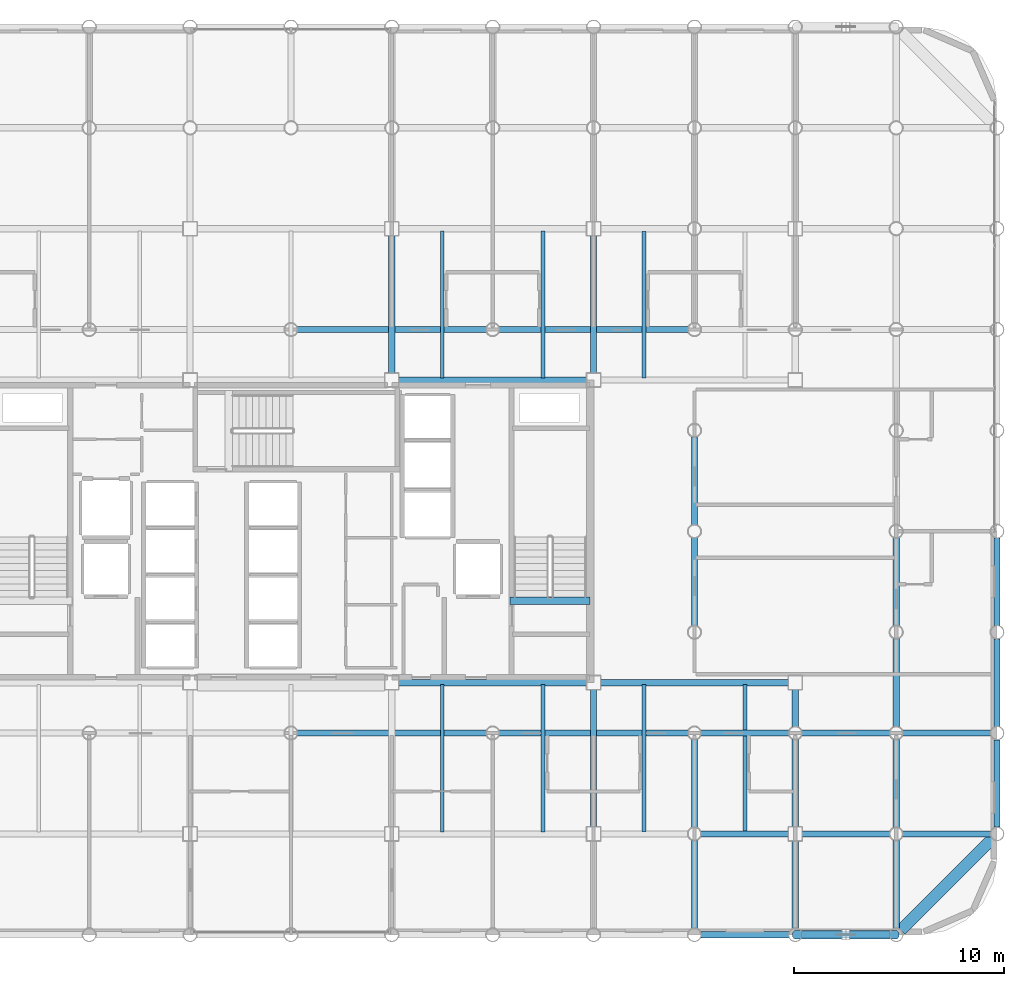
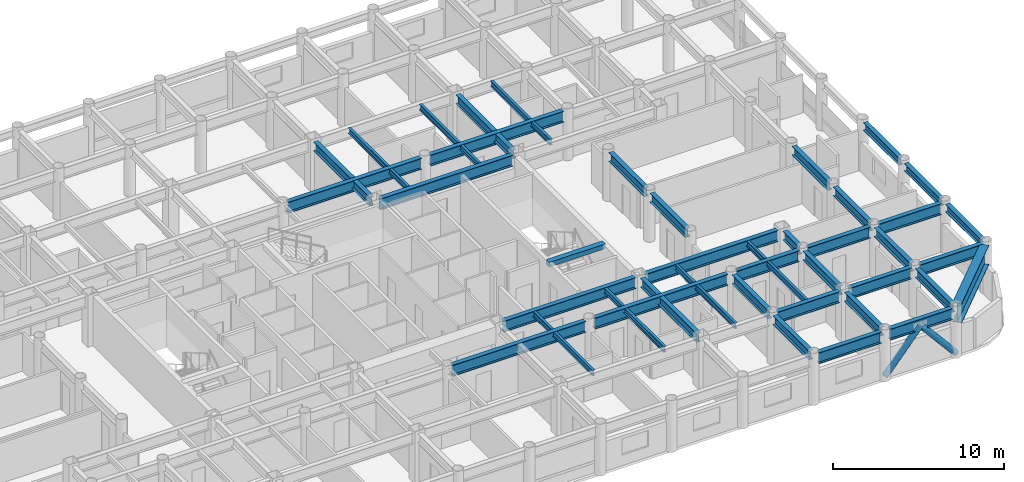
# One storey, part 7 of 22: 41 beams, 2 members.
"""IFC4 building model written with IfcOpenShell, lengths in metres."""

from ifc_helpers import new_model, si_unit, direction, frame, origin, origin_2d, place, context, subcontext, project, spatial, rectangle, hollow_circle, i_section, extrude, material, material_profile, profile_set, type_object, element, save


model = new_model("IFC4")

# Units and contexts
model_context = context("Model", 3, precision=1e-05, world=origin(), true_north=direction((0.0, 1.0)))
body_context = subcontext(model_context, "Body", "Model", "MODEL_VIEW")
ifc_project = project(units=[si_unit("LENGTHUNIT", "METRE"), si_unit("AREAUNIT", "SQUARE_METRE"), si_unit("VOLUMEUNIT", "CUBIC_METRE"), si_unit("PLANEANGLEUNIT", "RADIAN"), si_unit("MASSUNIT", "GRAM", prefix="KILO")], contexts=[model_context])

# Site, building, storey
site_placement = place(None, origin())
site = spatial("IfcSite", under=ifc_project, at=site_placement, CompositionType="ELEMENT")
building_placement = place(site_placement, origin())
building = spatial("IfcBuilding", under=site, at=building_placement, Name="Kallvorn Hotel Tower", CompositionType="ELEMENT")
storey_placement = place(building_placement, frame((0.0, 0.0, 117.39990234375)))
storey = spatial("IfcBuildingStorey", under=building, at=storey_placement, Name="L28", CompositionType="ELEMENT", Elevation=117.39990234375)

# Beams
ifc_material_1 = material(Name="Structural steel S355JR", Category="steel")
ifc_material_profile_1 = material_profile(ifc_material_1, i_section(OverallWidth=0.300048828125, OverallDepth=0.550048828125, WebThickness=0.014892578125, FlangeThickness=0.029052734375, at=origin_2d()), Name="HE 550 B")
ifc_profile_set_1 = profile_set([ifc_material_profile_1], Name="Structural steel S355JR")
beam_type_1 = type_object("IfcBeamType", Name="BM_HE550B", PredefinedType="SPANDREL", material=ifc_profile_set_1)
beam_1_placement = place(storey_placement, frame((33.60009765625, -14.080078125, 3.2451171875), z_axis=(0.0, 1.0, 0.0), x_axis=(-1.0, 0.0, 0.0)))
element("IfcBeam", 1, at=beam_1_placement, inside=storey, type_object=beam_type_1, Name="L29 Perimeter Spandrel 182", PredefinedType="SPANDREL", context=body_context, shape_type="SweptSolid", body=[
    extrude(i_section(OverallWidth=0.300048828125, OverallDepth=0.550048828125, WebThickness=0.014892578125, FlangeThickness=0.029052734375, at=origin_2d()), origin(), (0.0, 0.0, 1.0), 4.16015625),
])
for number, where, z_axis, x_axis, name in (
    (2, (33.60009765625, -9.280029296875, 3.2451171875), (0.0, 1.0, 0.0), (-1.0, 0.0, 0.0), "L29 Perimeter Spandrel 183"),
    (3, (33.60009765625, -4.47998046875, 3.2451171875), (0.0, 1.0, 0.0), (-1.0, 0.0, 0.0), "L29 Perimeter Spandrel 184"),
):
    element("IfcBeam", number, at=place(storey_placement, frame(where, z_axis=z_axis, x_axis=x_axis)), inside=storey, type_object=beam_type_1, Name=name, PredefinedType="SPANDREL", context=body_context, shape_type="SweptSolid", body=[
        extrude(i_section(OverallWidth=0.300048828125, OverallDepth=0.550048828125, WebThickness=0.014892578125, FlangeThickness=0.029052734375, at=origin_2d()), origin(), (0.0, 0.0, 1.0), 4.159912109375),
    ])
ifc_material_2 = material(Name="Structural steel S355JR", Category="steel")
ifc_material_profile_2 = material_profile(ifc_material_2, i_section(OverallWidth=0.300048828125, OverallDepth=0.64990234375, WebThickness=0.01611328125, FlangeThickness=0.031005859375, at=origin_2d()), Name="HE 650 B")
ifc_profile_set_2 = profile_set([ifc_material_profile_2], Name="Structural steel S355JR")
beam_type_2 = type_object("IfcBeamType", Name="BM_HE650B", PredefinedType="BEAM", material=ifc_profile_set_2)
for number, where, z_axis, x_axis, name in (
    (4, (4.800048828125, 7.52490234375, 3.195068359375), (0.0, 1.0, 0.0), (-1.0, 0.0, 0.0), "L29 Primary Y-Girder 115"),
    (5, (14.39990234375, -14.074951171875, 3.195068359375), (0.0, 1.0, 0.0), (-1.0, 0.0, 0.0), "L29 Primary Y-Girder 122"),
    (6, (14.39990234375, 7.52490234375, 3.195068359375), (0.0, 1.0, 0.0), (-1.0, 0.0, 0.0), "L29 Primary Y-Girder 123"),
):
    element("IfcBeam", number, at=place(storey_placement, frame(where, z_axis=z_axis, x_axis=x_axis)), inside=storey, type_object=beam_type_2, Name=name, PredefinedType="BEAM", context=body_context, shape_type="SweptSolid", body=[
        extrude(i_section(OverallWidth=0.300048828125, OverallDepth=0.64990234375, WebThickness=0.01611328125, FlangeThickness=0.031005859375, at=origin_2d()), origin(), (0.0, 0.0, 1.0), 6.550048828125),
    ])
for number, where, z_axis, x_axis, name in (
    (7, (19.199951171875, -18.89501953125, 3.195068359375), (0.0, 1.0, 0.0), (-1.0, 0.0, 0.0), "L29 Primary Y-Girder 126"),
    (8, (19.199951171875, -14.094970703125, 3.195068359375), (0.0, 1.0, 0.0), (-1.0, 0.0, 0.0), "L29 Primary Y-Girder 127"),
):
    element("IfcBeam", number, at=place(storey_placement, frame(where, z_axis=z_axis, x_axis=x_axis)), inside=storey, type_object=beam_type_2, Name=name, PredefinedType="BEAM", context=body_context, shape_type="SweptSolid", body=[
        extrude(i_section(OverallWidth=0.300048828125, OverallDepth=0.64990234375, WebThickness=0.01611328125, FlangeThickness=0.031005859375, at=origin_2d()), origin(), (0.0, 0.0, 1.0), 4.18994140625),
    ])
for number, where, z_axis, x_axis, name in (
    (9, (19.199951171875, -4.4951171875, 3.195068359375), (0.0, 1.0, 0.0), (-1.0, 0.0, 0.0), "L29 Primary Y-Girder 129"),
    (10, (19.199951171875, 0.304931640625, 3.195068359375), (0.0, 1.0, 0.0), (-1.0, 0.0, 0.0), "L29 Primary Y-Girder 130"),
):
    element("IfcBeam", number, at=place(storey_placement, frame(where, z_axis=z_axis, x_axis=x_axis)), inside=storey, type_object=beam_type_2, Name=name, PredefinedType="BEAM", context=body_context, shape_type="SweptSolid", body=[
        extrude(i_section(OverallWidth=0.300048828125, OverallDepth=0.64990234375, WebThickness=0.01611328125, FlangeThickness=0.031005859375, at=origin_2d()), origin(), (0.0, 0.0, 1.0), 4.190185546875),
    ])
for number, where, z_axis, x_axis, name in (
    (11, (24.0, -18.89501953125, 3.195068359375), (0.0, 1.0, 0.0), (-1.0, 0.0, 0.0), "L29 Primary Y-Girder 135"),
    (12, (24.0, -14.074951171875, 3.195068359375), (0.0, 1.0, 0.0), (-1.0, 0.0, 0.0), "L29 Primary Y-Girder 136"),
):
    element("IfcBeam", number, at=place(storey_placement, frame(where, z_axis=z_axis, x_axis=x_axis)), inside=storey, type_object=beam_type_2, Name=name, PredefinedType="BEAM", context=body_context, shape_type="SweptSolid", body=[
        extrude(i_section(OverallWidth=0.300048828125, OverallDepth=0.64990234375, WebThickness=0.01611328125, FlangeThickness=0.031005859375, at=origin_2d()), origin(), (0.0, 0.0, 1.0), 4.169921875),
    ])
beam_2_placement = place(storey_placement, frame((24.0, -9.294921875, 3.195068359375), z_axis=(0.0, 1.0, 0.0), x_axis=(-1.0, 0.0, 0.0)))
element("IfcBeam", 13, at=beam_2_placement, inside=storey, type_object=beam_type_2, Name="L29 Primary Y-Girder 137", PredefinedType="BEAM", context=body_context, shape_type="SweptSolid", body=[
    extrude(i_section(OverallWidth=0.300048828125, OverallDepth=0.64990234375, WebThickness=0.01611328125, FlangeThickness=0.031005859375, at=origin_2d()), origin(), (0.0, 0.0, 1.0), 1.77001953125),
])
for number, where, z_axis, x_axis, name in (
    (14, (28.800048828125, -18.89501953125, 3.195068359375), (0.0, 1.0, 0.0), (-1.0, 0.0, 0.0), "L29 Primary Y-Girder 142"),
    (15, (28.800048828125, -14.094970703125, 3.195068359375), (0.0, 1.0, 0.0), (-1.0, 0.0, 0.0), "L29 Primary Y-Girder 143"),
    (16, (28.800048828125, -9.294921875, 3.195068359375), (0.0, 1.0, 0.0), (-1.0, 0.0, 0.0), "L29 Primary Y-Girder 144"),
):
    element("IfcBeam", number, at=place(storey_placement, frame(where, z_axis=z_axis, x_axis=x_axis)), inside=storey, type_object=beam_type_2, Name=name, PredefinedType="BEAM", context=body_context, shape_type="SweptSolid", body=[
        extrude(i_section(OverallWidth=0.300048828125, OverallDepth=0.64990234375, WebThickness=0.01611328125, FlangeThickness=0.031005859375, at=origin_2d()), origin(), (0.0, 0.0, 1.0), 4.18994140625),
    ])
beam_3_placement = place(storey_placement, frame((28.800048828125, -4.4951171875, 3.195068359375), z_axis=(0.0, 1.0, 0.0), x_axis=(-1.0, 0.0, 0.0)))
element("IfcBeam", 17, at=beam_3_placement, inside=storey, type_object=beam_type_2, Name="L29 Primary Y-Girder 145", PredefinedType="BEAM", context=body_context, shape_type="SweptSolid", body=[
    extrude(i_section(OverallWidth=0.300048828125, OverallDepth=0.64990234375, WebThickness=0.01611328125, FlangeThickness=0.031005859375, at=origin_2d()), origin(), (0.0, 0.0, 1.0), 4.190185546875),
])
ifc_material_3 = material(Name="Structural steel S355JR", Category="steel")
ifc_material_profile_3 = material_profile(ifc_material_3, i_section(OverallWidth=0.300048828125, OverallDepth=0.800048828125, WebThickness=0.017578125, FlangeThickness=0.032958984375, at=origin_2d()), Name="HE 800 B")
ifc_profile_set_3 = profile_set([ifc_material_profile_3], Name="Structural steel S355JR")
beam_type_3 = type_object("IfcBeamType", Name="BM_HE800B", PredefinedType="BEAM", material=ifc_profile_set_3)
for number, where, z_axis, x_axis, name in (
    (18, (19.5048828125, -19.199951171875, 3.1201171875), (1.0, 0.0, 0.0), (0.0, 1.0, 0.0), "L29 Primary X-Girder 11"),
    (19, (24.304931640625, -19.199951171875, 3.1201171875), (1.0, 0.0, 0.0), (0.0, 1.0, 0.0), "L29 Primary X-Girder 12"),
):
    element("IfcBeam", number, at=place(storey_placement, frame(where, z_axis=z_axis, x_axis=x_axis)), inside=storey, type_object=beam_type_3, Name=name, PredefinedType="BEAM", context=body_context, shape_type="SweptSolid", body=[
        extrude(i_section(OverallWidth=0.300048828125, OverallDepth=0.800048828125, WebThickness=0.017578125, FlangeThickness=0.032958984375, at=origin_2d()), origin(), (0.0, 0.0, 1.0), 4.190185546875),
    ])
for number, where, z_axis, x_axis, name in (
    (20, (19.5048828125, -14.39990234375, 3.1201171875), (1.0, 0.0, 0.0), (0.0, 1.0, 0.0), "L29 Primary X-Girder 20"),
    (21, (24.324951171875, -14.39990234375, 3.1201171875), (1.0, 0.0, 0.0), (0.0, 1.0, 0.0), "L29 Primary X-Girder 21"),
):
    element("IfcBeam", number, at=place(storey_placement, frame(where, z_axis=z_axis, x_axis=x_axis)), inside=storey, type_object=beam_type_3, Name=name, PredefinedType="BEAM", context=body_context, shape_type="SweptSolid", body=[
        extrude(i_section(OverallWidth=0.300048828125, OverallDepth=0.800048828125, WebThickness=0.017578125, FlangeThickness=0.032958984375, at=origin_2d()), origin(), (0.0, 0.0, 1.0), 4.170166015625),
    ])
beam_4_placement = place(storey_placement, frame((29.10498046875, -14.39990234375, 3.1201171875), z_axis=(1.0, 0.0, 0.0), x_axis=(0.0, 1.0, 0.0)))
element("IfcBeam", 22, at=beam_4_placement, inside=storey, type_object=beam_type_3, Name="L29 Primary X-Girder 22", PredefinedType="BEAM", context=body_context, shape_type="SweptSolid", body=[
    extrude(i_section(OverallWidth=0.300048828125, OverallDepth=0.800048828125, WebThickness=0.017578125, FlangeThickness=0.032958984375, at=origin_2d()), origin(), (0.0, 0.0, 1.0), 4.18994140625),
])
for number, where, z_axis, x_axis, name in (
    (23, (0.304931640625, -9.60009765625, 3.1201171875), (1.0, 0.0, 0.0), (0.0, 1.0, 0.0), "L29 Primary X-Girder 27"),
    (24, (9.905029296875, -9.60009765625, 3.1201171875), (1.0, 0.0, 0.0), (0.0, 1.0, 0.0), "L29 Primary X-Girder 28"),
):
    element("IfcBeam", number, at=place(storey_placement, frame(where, z_axis=z_axis, x_axis=x_axis)), inside=storey, type_object=beam_type_3, Name=name, PredefinedType="BEAM", context=body_context, shape_type="SweptSolid", body=[
        extrude(i_section(OverallWidth=0.300048828125, OverallDepth=0.800048828125, WebThickness=0.017578125, FlangeThickness=0.032958984375, at=origin_2d()), origin(), (0.0, 0.0, 1.0), 8.989990234375),
    ])
for number, where, z_axis, x_axis, name in (
    (25, (19.5048828125, -9.60009765625, 3.1201171875), (1.0, 0.0, 0.0), (0.0, 1.0, 0.0), "L29 Primary X-Girder 29"),
    (26, (24.304931640625, -9.60009765625, 3.1201171875), (1.0, 0.0, 0.0), (0.0, 1.0, 0.0), "L29 Primary X-Girder 30"),
):
    element("IfcBeam", number, at=place(storey_placement, frame(where, z_axis=z_axis, x_axis=x_axis)), inside=storey, type_object=beam_type_3, Name=name, PredefinedType="BEAM", context=body_context, shape_type="SweptSolid", body=[
        extrude(i_section(OverallWidth=0.300048828125, OverallDepth=0.800048828125, WebThickness=0.017578125, FlangeThickness=0.032958984375, at=origin_2d()), origin(), (0.0, 0.0, 1.0), 4.190185546875),
    ])
beam_5_placement = place(storey_placement, frame((29.10498046875, -9.60009765625, 3.1201171875), z_axis=(1.0, 0.0, 0.0), x_axis=(0.0, 1.0, 0.0)))
element("IfcBeam", 27, at=beam_5_placement, inside=storey, type_object=beam_type_3, Name="L29 Primary X-Girder 31", PredefinedType="BEAM", context=body_context, shape_type="SweptSolid", body=[
    extrude(i_section(OverallWidth=0.300048828125, OverallDepth=0.800048828125, WebThickness=0.017578125, FlangeThickness=0.032958984375, at=origin_2d()), origin(), (0.0, 0.0, 1.0), 4.18994140625),
])
for number, where, z_axis, x_axis, name in (
    (28, (5.125, -7.199951171875, 3.1201171875), (1.0, 0.0, 0.0), (0.0, 1.0, 0.0), "L29 Primary X-Girder 34"),
    (29, (14.72509765625, -7.199951171875, 3.1201171875), (1.0, 0.0, 0.0), (0.0, 1.0, 0.0), "L29 Primary X-Girder 35"),
    (30, (5.125, 7.199951171875, 3.1201171875), (1.0, 0.0, 0.0), (0.0, 1.0, 0.0), "L29 Primary X-Girder 39"),
):
    element("IfcBeam", number, at=place(storey_placement, frame(where, z_axis=z_axis, x_axis=x_axis)), inside=storey, type_object=beam_type_3, Name=name, PredefinedType="BEAM", context=body_context, shape_type="SweptSolid", body=[
        extrude(i_section(OverallWidth=0.300048828125, OverallDepth=0.800048828125, WebThickness=0.017578125, FlangeThickness=0.032958984375, at=origin_2d()), origin(), (0.0, 0.0, 1.0), 8.949951171875),
    ])
for number, where, z_axis, x_axis, name in (
    (31, (0.304931640625, 9.60009765625, 3.1201171875), (1.0, 0.0, 0.0), (0.0, 1.0, 0.0), "L29 Primary X-Girder 45"),
    (32, (9.905029296875, 9.60009765625, 3.1201171875), (1.0, 0.0, 0.0), (0.0, 1.0, 0.0), "L29 Primary X-Girder 46"),
):
    element("IfcBeam", number, at=place(storey_placement, frame(where, z_axis=z_axis, x_axis=x_axis)), inside=storey, type_object=beam_type_3, Name=name, PredefinedType="BEAM", context=body_context, shape_type="SweptSolid", body=[
        extrude(i_section(OverallWidth=0.300048828125, OverallDepth=0.800048828125, WebThickness=0.017578125, FlangeThickness=0.032958984375, at=origin_2d()), origin(), (0.0, 0.0, 1.0), 8.989990234375),
    ])
ifc_material_4 = material(Name="Structural steel S355JR", Category="steel")
ifc_material_profile_4 = material_profile(ifc_material_4, i_section(OverallWidth=0.179931640625, OverallDepth=0.39990234375, WebThickness=0.008544921875, FlangeThickness=0.013427734375, at=origin_2d()), Name="IPE 400")
ifc_profile_set_4 = profile_set([ifc_material_profile_4], Name="Structural steel S355JR")
beam_type_4 = type_object("IfcBeamType", Name="BM_IPE400", PredefinedType="JOIST", material=ifc_profile_set_4)
for number, where, z_axis, x_axis, name in (
    (33, (7.199951171875, -14.300048828125, 3.320068359375), (0.0, 1.0, 0.0), (-1.0, 0.0, 0.0), "L29 Secondary Composite Joist 202"),
    (34, (7.199951171875, 7.300048828125, 3.320068359375), (0.0, 1.0, 0.0), (-1.0, 0.0, 0.0), "L29 Secondary Composite Joist 203"),
    (35, (12.0, -14.300048828125, 3.320068359375), (0.0, 1.0, 0.0), (-1.0, 0.0, 0.0), "L29 Secondary Composite Joist 204"),
    (36, (12.0, 7.300048828125, 3.320068359375), (0.0, 1.0, 0.0), (-1.0, 0.0, 0.0), "L29 Secondary Composite Joist 205"),
    (37, (16.800048828125, -14.300048828125, 3.320068359375), (0.0, 1.0, 0.0), (-1.0, 0.0, 0.0), "L29 Secondary Composite Joist 206"),
    (38, (16.800048828125, 7.300048828125, 3.320068359375), (0.0, 1.0, 0.0), (-1.0, 0.0, 0.0), "L29 Secondary Composite Joist 207"),
    (39, (21.60009765625, -14.300048828125, 3.320068359375), (0.0, 1.0, 0.0), (-1.0, 0.0, 0.0), "L29 Secondary Composite Joist 208"),
):
    element("IfcBeam", number, at=place(storey_placement, frame(where, z_axis=z_axis, x_axis=x_axis)), inside=storey, type_object=beam_type_4, Name=name, PredefinedType="JOIST", context=body_context, shape_type="SweptSolid", body=[
        extrude(i_section(OverallWidth=0.179931640625, OverallDepth=0.39990234375, WebThickness=0.008544921875, FlangeThickness=0.013427734375, at=origin_2d()), origin(), (0.0, 0.0, 1.0), 7.0),
    ])
ifc_material_5 = material(Name="Structural steel S355JR", Category="steel")
ifc_material_profile_5 = material_profile(ifc_material_5, i_section(OverallWidth=0.550048828125, OverallDepth=1.39990234375, WebThickness=0.02490234375, FlangeThickness=0.044921875, at=origin_2d()), Name="PG 1400x550x25x45")
ifc_profile_set_5 = profile_set([ifc_material_profile_5], Name="Structural steel S355JR")
beam_type_5 = type_object("IfcBeamType", Name="BM_PG_1400", PredefinedType="BEAM", material=ifc_profile_set_5)
beam_6_placement = place(storey_placement, frame((33.373779296875, -14.626220703125, 2.820068359375), z_axis=(-0.707106781187, -0.707106781187, 0.0), x_axis=(0.707106781187, -0.707106781187, 0.0)))
element("IfcBeam", 40, at=beam_6_placement, inside=storey, type_object=beam_type_5, Name="L29 Rounded Corner Tie Beam 190", PredefinedType="BEAM", context=body_context, shape_type="SweptSolid", body=[
    extrude(i_section(OverallWidth=0.550048828125, OverallDepth=1.39990234375, WebThickness=0.02490234375, FlangeThickness=0.044921875, at=origin_2d()), origin(), (0.0, 0.0, 1.0), 6.148193359375),
])
ifc_material_6 = material(Name="Concrete C50/60", Category="concrete")
ifc_material_profile_6 = material_profile(ifc_material_6, rectangle(XDim=0.360107421875, YDim=0.340087890625, at=origin_2d()), Name="RC 360x340")
ifc_profile_set_6 = profile_set([ifc_material_profile_6], Name="Concrete C50/60")
beam_type_6 = type_object("IfcBeamType", Name="BM_RC_400x360", PredefinedType="BEAM", material=ifc_profile_set_6)
beam_7_placement = place(storey_placement, frame((14.239990234375, -3.31005859375, 3.35009765625), z_axis=(-1.0, 0.0, 0.0), x_axis=(0.0, -1.0, 0.0)))
element("IfcBeam", 41, at=beam_7_placement, inside=storey, type_object=beam_type_6, Name="L29 Stair ST2 Arrival Trimmer Beam", PredefinedType="BEAM", context=body_context, shape_type="SweptSolid", body=[
    extrude(rectangle(XDim=0.360107421875, YDim=0.340087890625, at=origin_2d()), origin(), (0.0, 0.0, 1.0), 3.820068359375),
])

# Members
ifc_material_7 = material(Name="Structural steel S355J2H", Category="steel")
ifc_material_profile_7 = material_profile(ifc_material_7, hollow_circle(Radius=0.203125, WallThickness=0.01611328125, at=origin_2d()), Name="CHS 406.4x16")
ifc_profile_set_7 = profile_set([ifc_material_profile_7], Name="Structural steel S355J2H")
member_type = type_object("IfcMemberType", Name="MBR_EXO_CHS406", PredefinedType="BRACE", material=ifc_profile_set_7)
for number, where, z_axis, x_axis, name in (
    (42, (24.012939453125, -19.199951171875, 0.1953125), (0.646800487591, 0.0, 0.762659248453), (0.0, 1.0, 0.0), "L28 Exoskeleton K-Brace S2A"),
    (43, (28.787109375, -19.199951171875, 0.1953125), (-0.646800487591, 0.0, 0.762659248453), (0.0, -1.0, 0.0), "L28 Exoskeleton K-Brace S2B"),
):
    element("IfcMember", number, at=place(storey_placement, frame(where, z_axis=z_axis, x_axis=x_axis)), inside=storey, type_object=member_type, Name=name, PredefinedType="BRACE", context=body_context, shape_type="SweptSolid", body=[
        extrude(hollow_circle(Radius=0.203125, WallThickness=0.01611328125, at=origin_2d()), origin(), (0.0, 0.0, 1.0), 3.6708984375),
    ])

save(model, "model.ifc")
